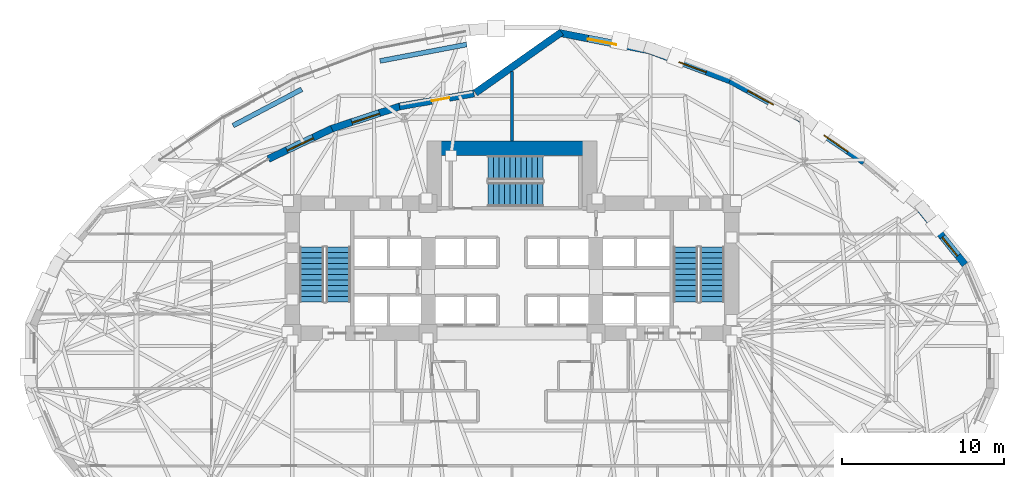
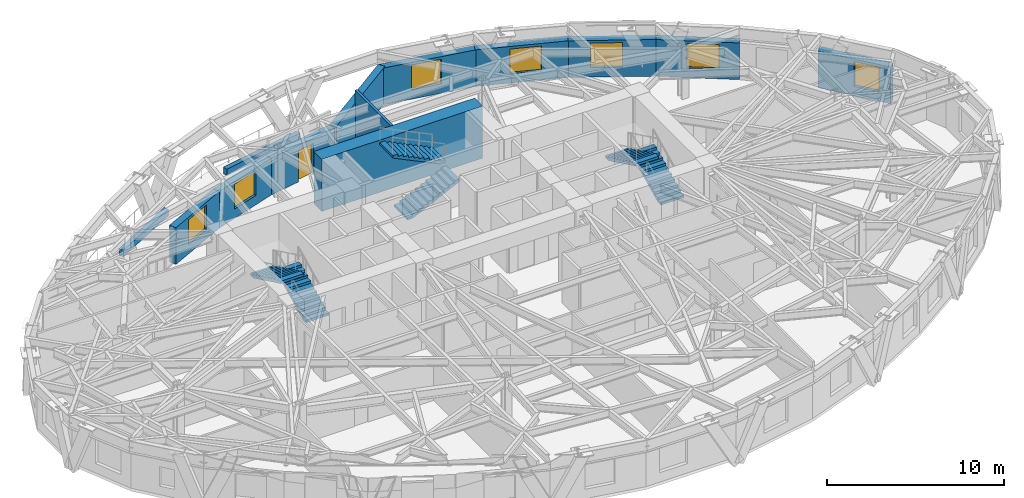
# One storey, part 13 of 17: 13 walls, 7 windows, 6 stair flights, 1 door, 8 openings, 3 elements without a shape of their own.
"""IFC4 building model written with IfcOpenShell, lengths in metres."""

from ifc_helpers import new_model, si_unit, direction, frame, frame_2d, origin, place, context, subcontext, project, spatial, polyline, rectangle, outline, extrude, material, layer, layer_set, type_object, element, fill, aggregate, save


model = new_model("IFC4")

# Units and contexts
model_context = context("Model", 3, precision=1e-05, world=origin(), true_north=direction((0.0, 1.0)))
body_context = subcontext(model_context, "Body", "Model", "MODEL_VIEW")
ifc_project = project(units=[si_unit("LENGTHUNIT", "METRE"), si_unit("AREAUNIT", "SQUARE_METRE"), si_unit("VOLUMEUNIT", "CUBIC_METRE"), si_unit("PLANEANGLEUNIT", "RADIAN"), si_unit("MASSUNIT", "GRAM", prefix="KILO")], contexts=[model_context])

# Site, building, storey
site_placement = place(None, origin())
site = spatial("IfcSite", under=ifc_project, at=site_placement, CompositionType="ELEMENT")
building_placement = place(site_placement, origin())
building = spatial("IfcBuilding", under=site, at=building_placement, Name="Keldmark Tower", CompositionType="ELEMENT")
storey_placement = place(building_placement, frame((0.0, 0.0, 70.199951171875)))
storey = spatial("IfcBuildingStorey", under=building, at=storey_placement, Name="L18", CompositionType="ELEMENT", Elevation=70.199951171875)

# Walls
ifc_material_1 = material(Name="STC-58 Insulated Tenant Demising Gypsum Partition", Category="gypsum")
ifc_layer_1 = layer(ifc_material_1, 0.175048828125)
ifc_layer_set_1 = layer_set([ifc_layer_1], Name="STC-58 Insulated Tenant Demising Gypsum Partition")
wall_type_1 = type_object("IfcWallType", Name="Demising Suite Partition 175 mm", PredefinedType="PARTITIONING", material=ifc_layer_set_1)
wall_1_placement = place(storey_placement, frame((0.0, 13.300048828125, 0.0), z_axis=(0.0, 0.0, 1.0), x_axis=(0.0, 1.0, 0.0)))
element("IfcWall", 1, at=wall_1_placement, inside=storey, type_object=wall_type_1, Name="L18 Demising Suite Partition 175 mm N-MID-DIV", PredefinedType="PARTITIONING", context=body_context, shape_type="SweptSolid", body=[
    extrude(rectangle(XDim=4.3095703125, YDim=0.175048828125, at=frame_2d((2.15478515625, 0.0))), origin(), (0.0, 0.0, 1.0), 3.400146484375),
])
ifc_material_2 = material(Name="Concrete C70/85", Category="concrete")
ifc_layer_2 = layer(ifc_material_2, 0.89990234375)
ifc_layer_set_2 = layer_set([ifc_layer_2], Name="Concrete C70/85")
wall_type_2 = type_object("IfcWallType", Name="Lower Core Shear Wall 900 mm", PredefinedType="SHEAR", material=ifc_layer_set_2)
wall_2_placement = place(storey_placement, frame((-5.25, 12.85009765625, 0.0), z_axis=(0.0, 0.0, 1.0), x_axis=(1.0, 0.0, 0.0)))
element("IfcWall", 2, at=wall_2_placement, inside=storey, type_object=wall_type_2, Name="L18 North Core Shear Wall", PredefinedType="SHEAR", context=body_context, shape_type="SweptSolid", body=[
    extrude(rectangle(XDim=10.5, YDim=0.89990234375, at=frame_2d((5.25, 0.0))), origin(), (0.0, 0.0, 1.0), 3.60009765625),
])
ifc_material_3 = material(Name="Ironspot Manganese Brick Planter Masonry", Category="masonry")
ifc_layer_3 = layer(ifc_material_3, 0.300048828125)
ifc_layer_set_3 = layer_set([ifc_layer_3], Name="Ironspot Manganese Brick Planter Masonry")
wall_type_3 = type_object("IfcWallType", Name="Terrace Brick Planter Kerb Wall 300 mm", PredefinedType="PARAPET", material=ifc_layer_set_3)
wall_3_placement = place(storey_placement, frame((-2.802001953125, 19.290771484375, 0.0), z_axis=(0.0, 0.0, 1.0), x_axis=(-0.982347555163, -0.187064910836, 0.0)))
element("IfcWall", 3, at=wall_3_placement, inside=storey, type_object=wall_type_3, Name="L18 Sky Garden Planter 01", PredefinedType="PARAPET", context=body_context, shape_type="SweptSolid", body=[
    extrude(rectangle(XDim=5.467041015625, YDim=0.300048828125, at=frame_2d((2.7333984375, 0.0))), origin(), (0.0, 0.0, 1.0), 0.449951171875),
])
wall_4_placement = place(storey_placement, frame((-13.018310546875, 16.5146484375, 0.0), z_axis=(0.0, 0.0, 1.0), x_axis=(-0.883964513107, -0.467553996419, 0.0)))
element("IfcWall", 4, at=wall_4_placement, inside=storey, type_object=wall_type_3, Name="L18 Sky Garden Planter 03", PredefinedType="PARAPET", context=body_context, shape_type="SweptSolid", body=[
    extrude(rectangle(XDim=4.80712890625, YDim=0.300048828125, at=frame_2d((2.403564453125, 0.0))), origin(), (0.0, 0.0, 1.0), 0.449951171875),
])

# Wall, opening, window
ifc_material_4 = material(Name="Ironspot Manganese Brick and Kasota Buff Limestone Spandrel Assembly", Category="masonry")
ifc_layer_4 = layer(ifc_material_4, 0.43994140625)
ifc_layer_set_4 = layer_set([ifc_layer_4], Name="Ironspot Manganese Brick and Kasota Buff Limestone Spandrel Assembly")
wall_type_4 = type_object("IfcWallType", Name="Tower Brick Pier and Spandrel Wall 440 mm", PredefinedType="STANDARD", material=ifc_layer_set_4)
wall_5_placement = place(storey_placement, frame((25.284423828125, 9.087890625, 0.0), z_axis=(0.0, 0.0, 1.0), x_axis=(0.628444327975, -0.777854566507, 0.0)))
wall_5 = element("IfcWall", 5, at=wall_5_placement, inside=storey, type_object=wall_type_4, Name="L18 Exterior Brick and Spandrel Wall 02", PredefinedType="STANDARD", context=body_context, shape_type="SweptSolid", body=[
    extrude(rectangle(XDim=4.39892578125, YDim=0.43994140625, at=frame_2d((2.199462890625, 0.0))), origin(), (0.0, 0.0, 1.0), 2.529052734375),
])
opening_1_placement = place(wall_5_placement, frame((2.198974609375, 0.0, 0.64990234375)))
opening_1 = element("IfcOpeningElement", 6, at=opening_1_placement, cuts=wall_5, Name="Opening W-03", PredefinedType="OPENING", context=body_context, shape_type="SweptSolid", body=[
    extrude(rectangle(XDim=1.5, YDim=1.699951171875, at=frame_2d((0.75, 0.85009765625))), frame((0.0, 0.22998046875, 0.0), z_axis=(0.0, -1.0, 0.0), x_axis=(1.0, 0.0, 0.0)), (0.0, 0.0, 1.0), 0.4599609375),
])
ifc_material_5 = material(Name="Thermally Broken Anodized Aluminum and Triple Low-E Argon Glazing", Category="aluminium")
window_type_1 = type_object("IfcWindowType", Name="Office Corner Deep-Set Window 1500x1700", PartitioningType="DOUBLE_PANEL_VERTICAL", PredefinedType="WINDOW", material=ifc_material_5)
window_1_placement = place(opening_1_placement, origin())
window_1 = element("IfcWindow", 7, at=window_1_placement, inside=storey, type_object=window_type_1, Name="L18 Deep-Set Window 02", OverallHeight=1.699951171875, OverallWidth=1.5, PartitioningType="SINGLE_PANEL", PredefinedType="WINDOW", context=body_context, shape_type="SweptSolid", body=[
    extrude(rectangle(XDim=1.5, YDim=1.699951171875, at=frame_2d((0.75, 0.85009765625))), frame((0.0, -0.010009765625, 0.0), z_axis=(0.0, -1.0, 0.0), x_axis=(1.0, 0.0, 0.0)), (0.0, 0.0, 1.0), 0.06005859375),
])
fill(opening_1, window_1)

wall_6_placement = place(storey_placement, frame((17.87646484375, 14.690185546875, 0.0), z_axis=(0.0, 0.0, 1.0), x_axis=(0.827645395623, -0.561251368911, 0.0)))
wall_6 = element("IfcWall", 8, at=wall_6_placement, inside=storey, type_object=wall_type_4, Name="L18 Exterior Brick and Spandrel Wall 04", PredefinedType="STANDARD", context=body_context, shape_type="SweptSolid", body=[
    extrude(rectangle(XDim=4.751953125, YDim=0.43994140625, at=frame_2d((2.3759765625, 0.0))), origin(), (0.0, 0.0, 1.0), 2.529052734375),
])
opening_2_placement = place(wall_6_placement, frame((1.7705078125, 0.0, 0.64990234375)))
opening_2 = element("IfcOpeningElement", 9, at=opening_2_placement, cuts=wall_6, Name="Opening W-02", PredefinedType="OPENING", context=body_context, shape_type="SweptSolid", body=[
    extrude(rectangle(XDim=1.800048828125, YDim=1.699951171875, at=frame_2d((0.89990234375, 0.85009765625))), frame((0.0, 0.22998046875, 0.0), z_axis=(0.0, -1.0, 0.0), x_axis=(1.0, 0.0, 0.0)), (0.0, 0.0, 1.0), 0.4599609375),
])
ifc_material_6 = material(Name="Thermally Broken Anodized Aluminum and Triple Low-E Argon Glazing", Category="aluminium")
window_type_2 = type_object("IfcWindowType", Name="Office Deep-Set Triple Window 1800x1700", PartitioningType="TRIPLE_PANEL_VERTICAL", PredefinedType="WINDOW", material=ifc_material_6)
window_2_placement = place(opening_2_placement, origin())
window_2 = element("IfcWindow", 10, at=window_2_placement, inside=storey, type_object=window_type_2, Name="L18 Deep-Set Window 04", OverallHeight=1.699951171875, OverallWidth=1.800048828125, PartitioningType="SINGLE_PANEL", PredefinedType="WINDOW", context=body_context, shape_type="SweptSolid", body=[
    extrude(rectangle(XDim=1.800048828125, YDim=1.699951171875, at=frame_2d((0.89990234375, 0.85009765625))), frame((0.0, -0.010009765625, 0.0), z_axis=(0.0, -1.0, 0.0), x_axis=(1.0, 0.0, 0.0)), (0.0, 0.0, 1.0), 0.06005859375),
])
fill(opening_2, window_2)

wall_7_placement = place(storey_placement, frame((13.501220703125, 17.0673828125, 0.0), z_axis=(0.0, 0.0, 1.0), x_axis=(0.878571961318, -0.477609996531, 0.0)))
wall_7 = element("IfcWall", 11, at=wall_7_placement, inside=storey, type_object=wall_type_4, Name="L18 Exterior Brick and Spandrel Wall 05", PredefinedType="STANDARD", context=body_context, shape_type="SweptSolid", body=[
    extrude(rectangle(XDim=5.000732421875, YDim=0.43994140625, at=frame_2d((2.50048828125, 0.0))), origin(), (0.0, 0.0, 1.0), 2.529052734375),
])
opening_3_placement = place(wall_7_placement, frame((1.281005859375, 0.0, 0.64990234375)))
opening_3 = element("IfcOpeningElement", 12, at=opening_3_placement, cuts=wall_7, Name="Opening W-02", PredefinedType="OPENING", context=body_context, shape_type="SweptSolid", body=[
    extrude(rectangle(XDim=1.800048828125, YDim=1.699951171875, at=frame_2d((0.89990234375, 0.85009765625))), frame((0.0, 0.22998046875, 0.0), z_axis=(0.0, -1.0, 0.0), x_axis=(1.0, 0.0, 0.0)), (0.0, 0.0, 1.0), 0.4599609375),
])
window_3_placement = place(opening_3_placement, origin())
window_3 = element("IfcWindow", 13, at=window_3_placement, inside=storey, type_object=window_type_2, Name="L18 Deep-Set Window 05", OverallHeight=1.699951171875, OverallWidth=1.800048828125, PartitioningType="SINGLE_PANEL", PredefinedType="WINDOW", context=body_context, shape_type="SweptSolid", body=[
    extrude(rectangle(XDim=1.800048828125, YDim=1.699951171875, at=frame_2d((0.89990234375, 0.85009765625))), frame((0.0, -0.010009765625, 0.0), z_axis=(0.0, -1.0, 0.0), x_axis=(1.0, 0.0, 0.0)), (0.0, 0.0, 1.0), 0.06005859375),
])
fill(opening_3, window_3)

wall_8_placement = place(storey_placement, frame((8.48388671875, 18.928955078125, 0.0), z_axis=(0.0, 0.0, 1.0), x_axis=(0.93742061918, -0.348199056195, 0.0)))
wall_8 = element("IfcWall", 14, at=wall_8_placement, inside=storey, type_object=wall_type_4, Name="L18 Exterior Brick and Spandrel Wall 06", PredefinedType="STANDARD", context=body_context, shape_type="SweptSolid", body=[
    extrude(rectangle(XDim=5.3828125, YDim=0.43994140625, at=frame_2d((2.69140625, 0.0))), origin(), (0.0, 0.0, 1.0), 2.529052734375),
])
opening_4_placement = place(wall_8_placement, frame((1.990234375, 0.0, 0.64990234375)))
opening_4 = element("IfcOpeningElement", 15, at=opening_4_placement, cuts=wall_8, Name="Opening W-02", PredefinedType="OPENING", context=body_context, shape_type="SweptSolid", body=[
    extrude(rectangle(XDim=1.800048828125, YDim=1.699951171875, at=frame_2d((0.89990234375, 0.85009765625))), frame((0.0, 0.22998046875, 0.0), z_axis=(0.0, -1.0, 0.0), x_axis=(1.0, 0.0, 0.0)), (0.0, 0.0, 1.0), 0.4599609375),
])
window_4_placement = place(opening_4_placement, origin())
window_4 = element("IfcWindow", 16, at=window_4_placement, inside=storey, type_object=window_type_2, Name="L18 Deep-Set Window 06", OverallHeight=1.699951171875, OverallWidth=1.800048828125, PartitioningType="SINGLE_PANEL", PredefinedType="WINDOW", context=body_context, shape_type="SweptSolid", body=[
    extrude(rectangle(XDim=1.800048828125, YDim=1.699951171875, at=frame_2d((0.89990234375, 0.85009765625))), frame((0.0, -0.010009765625, 0.0), z_axis=(0.0, -1.0, 0.0), x_axis=(1.0, 0.0, 0.0)), (0.0, 0.0, 1.0), 0.06005859375),
])
fill(opening_4, window_4)

wall_9_placement = place(storey_placement, frame((2.896484375, 20.014892578125, 0.0), z_axis=(0.0, 0.0, 1.0), x_axis=(0.981531216559, -0.191302041079, 0.0)))
wall_9 = element("IfcWall", 17, at=wall_9_placement, inside=storey, type_object=wall_type_4, Name="L18 Exterior Brick and Spandrel Wall 07", PredefinedType="STANDARD", context=body_context, shape_type="SweptSolid", body=[
    extrude(rectangle(XDim=5.7275390625, YDim=0.43994140625, at=frame_2d((2.86376953125, 0.0))), origin(), (0.0, 0.0, 1.0), 2.529052734375),
])
opening_5_placement = place(wall_9_placement, frame((1.839599609375, 0.0, 0.64990234375)))
opening_5 = element("IfcOpeningElement", 18, at=opening_5_placement, cuts=wall_9, Name="Opening W-02", PredefinedType="OPENING", context=body_context, shape_type="SweptSolid", body=[
    extrude(rectangle(XDim=1.800048828125, YDim=1.699951171875, at=frame_2d((0.89990234375, 0.85009765625))), frame((0.0, 0.22998046875, 0.0), z_axis=(0.0, -1.0, 0.0), x_axis=(1.0, 0.0, 0.0)), (0.0, 0.0, 1.0), 0.4599609375),
])
window_5_placement = place(opening_5_placement, origin())
window_5 = element("IfcWindow", 19, at=window_5_placement, inside=storey, type_object=window_type_2, Name="L18 Deep-Set Window 07", OverallHeight=1.699951171875, OverallWidth=1.800048828125, PartitioningType="SINGLE_PANEL", PredefinedType="WINDOW", context=body_context, shape_type="SweptSolid", body=[
    extrude(rectangle(XDim=1.800048828125, YDim=1.699951171875, at=frame_2d((0.89990234375, 0.85009765625))), frame((0.0, -0.010009765625, 0.0), z_axis=(0.0, -1.0, 0.0), x_axis=(1.0, 0.0, 0.0)), (0.0, 0.0, 1.0), 0.06005859375),
])
fill(opening_5, window_5)

# Wall
wall_10_placement = place(storey_placement, frame((-2.265625, 16.29052734375, 0.0), z_axis=(0.0, 0.0, 1.0), x_axis=(0.817155536966, 0.576417234653, 0.0)))
element("IfcWall", 20, at=wall_10_placement, inside=storey, type_object=wall_type_4, Name="L18 Exterior Brick and Spandrel Wall 08", PredefinedType="STANDARD", context=body_context, shape_type="SweptSolid", body=[
    extrude(rectangle(XDim=6.52392578125, YDim=0.43994140625, at=frame_2d((3.261962890625, 0.0))), origin(), (0.0, 0.0, 1.0), 2.532958984375),
])

# Wall, opening, door
wall_11_placement = place(storey_placement, frame((-6.970947265625, 15.44970703125, 0.0), z_axis=(0.0, 0.0, 1.0), x_axis=(0.985170808839, 0.171576447721, 0.0)))
wall_11 = element("IfcWall", 21, at=wall_11_placement, inside=storey, type_object=wall_type_4, Name="L18 Exterior Brick and Spandrel Wall 09", PredefinedType="STANDARD", context=body_context, shape_type="SweptSolid", body=[
    extrude(rectangle(XDim=4.685791015625, YDim=0.43994140625, at=frame_2d((2.3427734375, 0.0))), origin(), (0.0, 0.0, 1.0), 2.532958984375),
])
opening_6_placement = place(wall_11_placement, frame((2.03271484375, 0.0, 0.0)))
opening_6 = element("IfcOpeningElement", 22, at=opening_6_placement, cuts=wall_11, Name="Opening TD-01", PredefinedType="OPENING", context=body_context, shape_type="SweptSolid", body=[
    extrude(rectangle(XDim=1.10009765625, YDim=2.14990234375, at=frame_2d((0.550048828125, 1.074951171875))), frame((0.0, 0.22998046875, 0.0), z_axis=(0.0, -1.0, 0.0), x_axis=(1.0, 0.0, 0.0)), (0.0, 0.0, 1.0), 0.4599609375),
])
ifc_material_7 = material(Name="Thermally Broken Painted Aluminum and Laminated Safety Glass", Category="aluminium")
door_type = type_object("IfcDoorType", Name="Sky Garden Terrace Glazed Door 1100x2150", OperationType="SINGLE_SWING_LEFT", PredefinedType="DOOR", material=ifc_material_7)
door_placement = place(opening_6_placement, origin())
door = element("IfcDoor", 23, at=door_placement, inside=storey, type_object=door_type, Name="L18 Sky-Garden Terrace Door 09", OperationType="SINGLE_SWING_LEFT", OverallHeight=2.14990234375, OverallWidth=1.10009765625, PredefinedType="DOOR", context=body_context, shape_type="SweptSolid", body=[
    extrude(rectangle(XDim=1.10009765625, YDim=2.14990234375, at=frame_2d((0.550048828125, 1.074951171875))), frame((0.0, 0.02490234375, 0.0), z_axis=(0.0, -1.0, 0.0), x_axis=(1.0, 0.0, 0.0)), (0.0, 0.0, 1.0), 0.050048828125),
])
fill(opening_6, door)

# Wall, opening, window
wall_12_placement = place(storey_placement, frame((-11.185302734375, 14.0673828125, 0.0), z_axis=(0.0, 0.0, 1.0), x_axis=(0.950342475624, 0.311206007373, 0.0)))
wall_12 = element("IfcWall", 24, at=wall_12_placement, inside=storey, type_object=wall_type_4, Name="L18 Exterior Brick and Spandrel Wall 10", PredefinedType="STANDARD", context=body_context, shape_type="SweptSolid", body=[
    extrude(rectangle(XDim=4.467041015625, YDim=0.43994140625, at=frame_2d((2.2333984375, 0.0))), origin(), (0.0, 0.0, 1.0), 2.532958984375),
])
opening_7_placement = place(wall_12_placement, frame((1.33349609375, 0.0, 0.64990234375)))
opening_7 = element("IfcOpeningElement", 25, at=opening_7_placement, cuts=wall_12, Name="Opening W-02", PredefinedType="OPENING", context=body_context, shape_type="SweptSolid", body=[
    extrude(rectangle(XDim=1.800048828125, YDim=1.699951171875, at=frame_2d((0.89990234375, 0.85009765625))), frame((0.0, 0.22998046875, 0.0), z_axis=(0.0, -1.0, 0.0), x_axis=(1.0, 0.0, 0.0)), (0.0, 0.0, 1.0), 0.4599609375),
])
window_6_placement = place(opening_7_placement, origin())
window_6 = element("IfcWindow", 26, at=window_6_placement, inside=storey, type_object=window_type_2, Name="L18 Deep-Set Window 10", OverallHeight=1.699951171875, OverallWidth=1.800048828125, PartitioningType="SINGLE_PANEL", PredefinedType="WINDOW", context=body_context, shape_type="SweptSolid", body=[
    extrude(rectangle(XDim=1.800048828125, YDim=1.699951171875, at=frame_2d((0.89990234375, 0.85009765625))), frame((0.0, -0.010009765625, 0.0), z_axis=(0.0, -1.0, 0.0), x_axis=(1.0, 0.0, 0.0)), (0.0, 0.0, 1.0), 0.06005859375),
])
fill(opening_7, window_6)

wall_13_placement = place(storey_placement, frame((-15.08837890625, 12.199462890625, 0.0), z_axis=(0.0, 0.0, 1.0), x_axis=(0.902212943003, 0.431290859488, 0.0)))
wall_13 = element("IfcWall", 27, at=wall_13_placement, inside=storey, type_object=wall_type_4, Name="L18 Exterior Brick and Spandrel Wall 11", PredefinedType="STANDARD", context=body_context, shape_type="SweptSolid", body=[
    extrude(rectangle(XDim=4.355224609375, YDim=0.43994140625, at=frame_2d((2.177734375, 0.0))), origin(), (0.0, 0.0, 1.0), 2.532958984375),
])
opening_8_placement = place(wall_13_placement, frame((1.277587890625, 0.0, 0.64990234375)))
opening_8 = element("IfcOpeningElement", 28, at=opening_8_placement, cuts=wall_13, Name="Opening W-02", PredefinedType="OPENING", context=body_context, shape_type="SweptSolid", body=[
    extrude(rectangle(XDim=1.800048828125, YDim=1.699951171875, at=frame_2d((0.89990234375, 0.85009765625))), frame((0.0, 0.22998046875, 0.0), z_axis=(0.0, -1.0, 0.0), x_axis=(1.0, 0.0, 0.0)), (0.0, 0.0, 1.0), 0.4599609375),
])
window_7_placement = place(opening_8_placement, origin())
window_7 = element("IfcWindow", 29, at=window_7_placement, inside=storey, type_object=window_type_2, Name="L18 Deep-Set Window 11", OverallHeight=1.699951171875, OverallWidth=1.800048828125, PartitioningType="SINGLE_PANEL", PredefinedType="WINDOW", context=body_context, shape_type="SweptSolid", body=[
    extrude(rectangle(XDim=1.800048828125, YDim=1.699951171875, at=frame_2d((0.89990234375, 0.85009765625))), frame((0.0, -0.010009765625, 0.0), z_axis=(0.0, -1.0, 0.0), x_axis=(1.0, 0.0, 0.0)), (0.0, 0.0, 1.0), 0.06005859375),
])
fill(opening_8, window_7)

# Stair, stair flights
ifc_material_8 = material(Name="Concrete C40/50", Category="concrete")
stair_type = type_object("IfcStairType", Name="Precast Concrete Core Exit Stair", PredefinedType="HALF_TURN_STAIR", material=ifc_material_8)
stair_1_placement = place(storey_placement, origin())
stair_1 = element("IfcStair", 30, at=stair_1_placement, inside=storey, type_object=stair_type, Name="L18 Exit Stair ST1", PredefinedType="HALF_TURN_STAIR")
ifc_material_9 = material(Name="Concrete C40/50", Category="concrete")
stair_flight_type = type_object("IfcStairFlightType", Name="Precast Concrete Stair Flight 1500 mm", PredefinedType="STRAIGHT", material=ifc_material_9)
stair_flight_1_placement = place(storey_placement, frame((-10.75, 3.35009765625, 0.0), z_axis=(0.0, 0.0, 1.0), x_axis=(0.0, 1.0, 0.0)))
stair_flight_1 = element("IfcStairFlight", 31, at=stair_flight_1_placement, type_object=stair_flight_type, Name="ST1 flight 1", NumberOfRisers=11, NumberOfTreads=10, PredefinedType="STRAIGHT", RiserHeight=0.163636364, TreadLength=0.34, context=body_context, shape_type="SweptSolid", body=[
    extrude(outline(polyline([(0.0, 0.0), (0.0, 0.16357421875), (0.340087890625, 0.16357421875), (0.340087890625, 0.327392578125), (0.679931640625, 0.327392578125), (0.679931640625, 0.490966796875), (1.02001953125, 0.490966796875), (1.02001953125, 0.654541015625), (1.360107421875, 0.654541015625), (1.360107421875, 0.818115234375), (1.699951171875, 0.818115234375), (1.699951171875, 0.98193359375), (2.0400390625, 0.98193359375), (2.0400390625, 1.1455078125), (2.3798828125, 1.1455078125), (2.3798828125, 1.30908203125), (2.719970703125, 1.30908203125), (2.719970703125, 1.47265625), (3.06005859375, 1.47265625), (3.06005859375, 1.636474609375), (3.39990234375, 1.636474609375), (3.39990234375, 1.800048828125), (3.39990234375, 1.469970703125), (0.345703125, 0.0), (0.0, 0.0)])), frame((0.0, 0.75, 0.0), z_axis=(0.0, -1.0, 0.0), x_axis=(1.0, 0.0, 0.0)), (0.0, 0.0, 1.0), 1.5),
])
stair_flight_2_placement = place(storey_placement, frame((-12.39990234375, 6.75, 1.800048828125), z_axis=(0.0, 0.0, 1.0), x_axis=(0.0, -1.0, 0.0)))
stair_flight_2 = element("IfcStairFlight", 32, at=stair_flight_2_placement, type_object=stair_flight_type, Name="ST1 flight 2", NumberOfRisers=11, NumberOfTreads=10, PredefinedType="STRAIGHT", RiserHeight=0.163636364, TreadLength=0.34, context=body_context, shape_type="SweptSolid", body=[
    extrude(outline(polyline([(0.0, 0.0), (0.0, 0.16357421875), (0.340087890625, 0.16357421875), (0.340087890625, 0.327392578125), (0.679931640625, 0.327392578125), (0.679931640625, 0.490966796875), (1.02001953125, 0.490966796875), (1.02001953125, 0.654541015625), (1.360107421875, 0.654541015625), (1.360107421875, 0.818115234375), (1.699951171875, 0.818115234375), (1.699951171875, 0.98193359375), (2.0400390625, 0.98193359375), (2.0400390625, 1.1455078125), (2.3798828125, 1.1455078125), (2.3798828125, 1.30908203125), (2.719970703125, 1.30908203125), (2.719970703125, 1.47265625), (3.06005859375, 1.47265625), (3.06005859375, 1.636474609375), (3.39990234375, 1.636474609375), (3.39990234375, 1.800048828125), (3.39990234375, 1.469970703125), (0.345703125, 0.0), (0.0, 0.0)])), frame((0.0, 0.75, 0.0), z_axis=(0.0, -1.0, 0.0), x_axis=(1.0, 0.0, 0.0)), (0.0, 0.0, 1.0), 1.5),
])
aggregate(stair_1, [stair_flight_1, stair_flight_2])

stair_2_placement = place(storey_placement, origin())
stair_2 = element("IfcStair", 33, at=stair_2_placement, inside=storey, type_object=stair_type, Name="L18 Exit Stair ST2", PredefinedType="HALF_TURN_STAIR")
stair_flight_3_placement = place(storey_placement, frame((12.39990234375, 3.35009765625, 0.0), z_axis=(0.0, 0.0, 1.0), x_axis=(0.0, 1.0, 0.0)))
stair_flight_3 = element("IfcStairFlight", 34, at=stair_flight_3_placement, type_object=stair_flight_type, Name="ST2 flight 1", NumberOfRisers=11, NumberOfTreads=10, PredefinedType="STRAIGHT", RiserHeight=0.163636364, TreadLength=0.34, context=body_context, shape_type="SweptSolid", body=[
    extrude(outline(polyline([(0.0, 0.0), (0.0, 0.16357421875), (0.340087890625, 0.16357421875), (0.340087890625, 0.327392578125), (0.679931640625, 0.327392578125), (0.679931640625, 0.490966796875), (1.02001953125, 0.490966796875), (1.02001953125, 0.654541015625), (1.360107421875, 0.654541015625), (1.360107421875, 0.818115234375), (1.699951171875, 0.818115234375), (1.699951171875, 0.98193359375), (2.0400390625, 0.98193359375), (2.0400390625, 1.1455078125), (2.3798828125, 1.1455078125), (2.3798828125, 1.30908203125), (2.719970703125, 1.30908203125), (2.719970703125, 1.47265625), (3.06005859375, 1.47265625), (3.06005859375, 1.636474609375), (3.39990234375, 1.636474609375), (3.39990234375, 1.800048828125), (3.39990234375, 1.469970703125), (0.345703125, 0.0), (0.0, 0.0)])), frame((0.0, 0.75, 0.0), z_axis=(0.0, -1.0, 0.0), x_axis=(1.0, 0.0, 0.0)), (0.0, 0.0, 1.0), 1.5),
])
stair_flight_4_placement = place(storey_placement, frame((10.75, 6.75, 1.800048828125), z_axis=(0.0, 0.0, 1.0), x_axis=(0.0, -1.0, 0.0)))
stair_flight_4 = element("IfcStairFlight", 35, at=stair_flight_4_placement, type_object=stair_flight_type, Name="ST2 flight 2", NumberOfRisers=11, NumberOfTreads=10, PredefinedType="STRAIGHT", RiserHeight=0.163636364, TreadLength=0.34, context=body_context, shape_type="SweptSolid", body=[
    extrude(outline(polyline([(0.0, 0.0), (0.0, 0.16357421875), (0.340087890625, 0.16357421875), (0.340087890625, 0.327392578125), (0.679931640625, 0.327392578125), (0.679931640625, 0.490966796875), (1.02001953125, 0.490966796875), (1.02001953125, 0.654541015625), (1.360107421875, 0.654541015625), (1.360107421875, 0.818115234375), (1.699951171875, 0.818115234375), (1.699951171875, 0.98193359375), (2.0400390625, 0.98193359375), (2.0400390625, 1.1455078125), (2.3798828125, 1.1455078125), (2.3798828125, 1.30908203125), (2.719970703125, 1.30908203125), (2.719970703125, 1.47265625), (3.06005859375, 1.47265625), (3.06005859375, 1.636474609375), (3.39990234375, 1.636474609375), (3.39990234375, 1.800048828125), (3.39990234375, 1.469970703125), (0.345703125, 0.0), (0.0, 0.0)])), frame((0.0, 0.75, 0.0), z_axis=(0.0, -1.0, 0.0), x_axis=(1.0, 0.0, 0.0)), (0.0, 0.0, 1.0), 1.5),
])
aggregate(stair_2, [stair_flight_3, stair_flight_4])

stair_3_placement = place(storey_placement, origin())
stair_3 = element("IfcStair", 36, at=stair_3_placement, inside=storey, type_object=stair_type, Name="L18 Exit Stair ST3", PredefinedType="HALF_TURN_STAIR")
stair_flight_5_placement = place(storey_placement, frame((-1.47509765625, 10.0, 0.0), z_axis=(0.0, 0.0, 1.0), x_axis=(1.0, 0.0, 0.0)))
stair_flight_5 = element("IfcStairFlight", 37, at=stair_flight_5_placement, type_object=stair_flight_type, Name="ST3 flight 1", NumberOfRisers=11, NumberOfTreads=10, PredefinedType="STRAIGHT", RiserHeight=0.163636364, TreadLength=0.34, context=body_context, shape_type="SweptSolid", body=[
    extrude(outline(polyline([(0.0, 0.0), (0.0, 0.16357421875), (0.340087890625, 0.16357421875), (0.340087890625, 0.327392578125), (0.679931640625, 0.327392578125), (0.679931640625, 0.490966796875), (1.02001953125, 0.490966796875), (1.02001953125, 0.654541015625), (1.360107421875, 0.654541015625), (1.360107421875, 0.818115234375), (1.699951171875, 0.818115234375), (1.699951171875, 0.98193359375), (2.0400390625, 0.98193359375), (2.0400390625, 1.1455078125), (2.3798828125, 1.1455078125), (2.3798828125, 1.30908203125), (2.719970703125, 1.30908203125), (2.719970703125, 1.47265625), (3.06005859375, 1.47265625), (3.06005859375, 1.636474609375), (3.39990234375, 1.636474609375), (3.39990234375, 1.800048828125), (3.39990234375, 1.469970703125), (0.345703125, 0.0), (0.0, 0.0)])), frame((0.0, 0.75, 0.0), z_axis=(0.0, -1.0, 0.0), x_axis=(1.0, 0.0, 0.0)), (0.0, 0.0, 1.0), 1.5),
])
stair_flight_6_placement = place(storey_placement, frame((1.925048828125, 11.64990234375, 1.800048828125), z_axis=(0.0, 0.0, 1.0), x_axis=(-1.0, 0.0, 0.0)))
stair_flight_6 = element("IfcStairFlight", 38, at=stair_flight_6_placement, type_object=stair_flight_type, Name="ST3 flight 2", NumberOfRisers=11, NumberOfTreads=10, PredefinedType="STRAIGHT", RiserHeight=0.163636364, TreadLength=0.34, context=body_context, shape_type="SweptSolid", body=[
    extrude(outline(polyline([(0.0, 0.0), (0.0, 0.16357421875), (0.340087890625, 0.16357421875), (0.340087890625, 0.327392578125), (0.679931640625, 0.327392578125), (0.679931640625, 0.490966796875), (1.02001953125, 0.490966796875), (1.02001953125, 0.654541015625), (1.360107421875, 0.654541015625), (1.360107421875, 0.818115234375), (1.699951171875, 0.818115234375), (1.699951171875, 0.98193359375), (2.0400390625, 0.98193359375), (2.0400390625, 1.1455078125), (2.3798828125, 1.1455078125), (2.3798828125, 1.30908203125), (2.719970703125, 1.30908203125), (2.719970703125, 1.47265625), (3.06005859375, 1.47265625), (3.06005859375, 1.636474609375), (3.39990234375, 1.636474609375), (3.39990234375, 1.800048828125), (3.39990234375, 1.469970703125), (0.345703125, 0.0), (0.0, 0.0)])), frame((0.0, 0.75, 0.0), z_axis=(0.0, -1.0, 0.0), x_axis=(1.0, 0.0, 0.0)), (0.0, 0.0, 1.0), 1.5),
])
aggregate(stair_3, [stair_flight_5, stair_flight_6])

save(model, "model.ifc")
